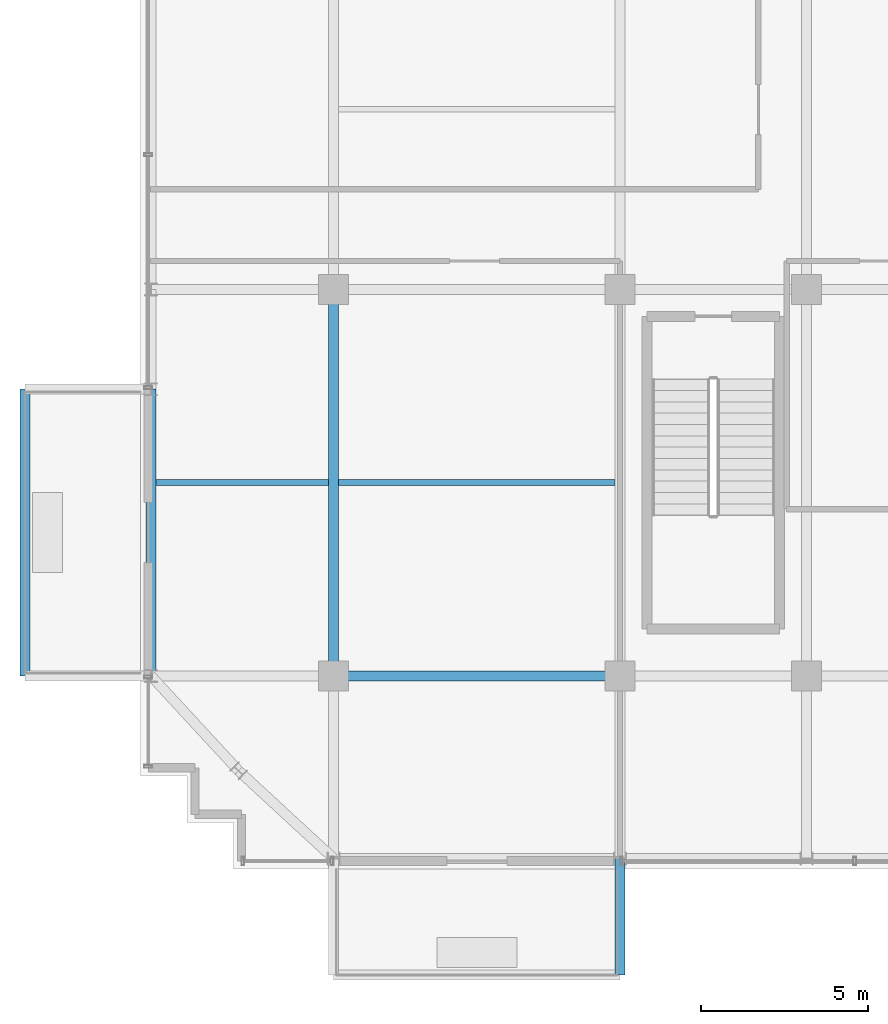
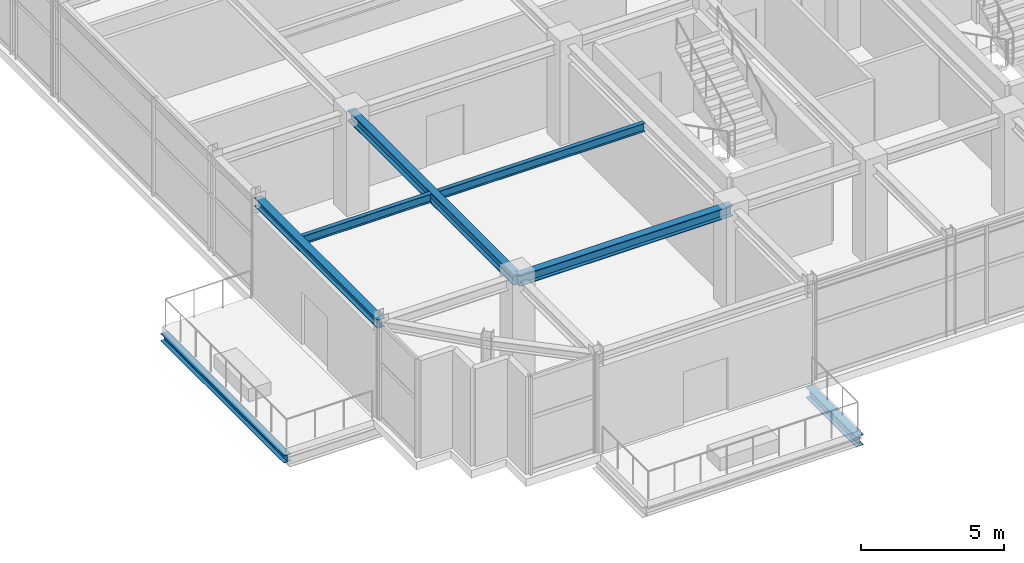
# One storey, part 5 of 25: 7 beams.
"""IFC4 building model written with IfcOpenShell, lengths in metres."""

from ifc_helpers import new_model, si_unit, direction, frame, origin, origin_2d, place, context, subcontext, project, spatial, i_section, extrude, source, transform, mapped, material, material_profile, profile_set, type_object, element, save


model = new_model("IFC4")

# Units and contexts
model_context = context("Model", 3, precision=1e-05, world=origin(), true_north=direction((0.0, 1.0)))
body_context = subcontext(model_context, "Body", "Model", "MODEL_VIEW")
ifc_project = project(units=[si_unit("LENGTHUNIT", "METRE"), si_unit("AREAUNIT", "SQUARE_METRE"), si_unit("VOLUMEUNIT", "CUBIC_METRE"), si_unit("PLANEANGLEUNIT", "RADIAN"), si_unit("MASSUNIT", "GRAM", prefix="KILO")], contexts=[model_context])

# Site, building, storey
site_placement = place(None, origin())
site = spatial("IfcSite", under=ifc_project, at=site_placement, CompositionType="ELEMENT")
building_placement = place(site_placement, origin())
building = spatial("IfcBuilding", under=site, at=building_placement, Name="Nahalor Promenade Grand Hotel", CompositionType="ELEMENT")
storey_placement = place(building_placement, frame((0.0, 0.0, 338.550048828125)))
storey = spatial("IfcBuildingStorey", under=building, at=storey_placement, Name="L87", CompositionType="ELEMENT", Elevation=338.550048828125)

# Beams
ifc_material = material(Name="Steel S355JR", Category="steel")
ifc_material_profile_1 = material_profile(ifc_material, i_section(OverallWidth=0.3, OverallDepth=0.32, WebThickness=0.0115, FlangeThickness=0.0205, at=origin_2d()), Name="HEB 320")
ifc_profile_set_1 = profile_set([ifc_material_profile_1], Name="Steel S355JR")
beam_type_1 = type_object("IfcBeamType", Name="Beam-BalcEdge-HEB320", PredefinedType="SPANDREL", material=ifc_profile_set_1)
shared_shape_1 = source(origin(), body_context, "Body", "SweptSolid", [
    extrude(i_section(OverallWidth=0.3, OverallDepth=0.32, WebThickness=0.0115, FlangeThickness=0.0205, at=origin_2d()), origin(), (0.0, 0.0, 1.0), 8.60009765625),
])
beam_1_placement = place(storey_placement, frame((-26.260009765625, -17.0, -0.43994140625), z_axis=(0.0, 1.0, 0.0), x_axis=(-1.0, 0.0, 0.0)))
element("IfcBeam", 1, at=beam_1_placement, inside=storey, type_object=beam_type_1, Name="BM-L87-BC-02-F", PredefinedType="SPANDREL", context=body_context, shape_type="MappedRepresentation", body=[
    mapped(shared_shape_1, transform((0.0, 0.0, 0.0), scale=1.0)),
])
ifc_material_profile_2 = material_profile(ifc_material, i_section(OverallWidth=0.3, OverallDepth=0.45, WebThickness=0.014, FlangeThickness=0.026, at=origin_2d()), Name="HEB 450")
ifc_profile_set_2 = profile_set([ifc_material_profile_2], Name="Steel S355JR")
beam_type_2 = type_object("IfcBeamType", Name="Beam-Outrigger-HEB450", PredefinedType="BEAM", material=ifc_profile_set_2)
shared_shape_2 = source(origin(), body_context, "Body", "SweptSolid", [
    extrude(i_section(OverallWidth=0.3, OverallDepth=0.45, WebThickness=0.014, FlangeThickness=0.026, at=origin_2d()), origin(), (0.0, 0.0, 1.0), 3.5),
])
beam_2_placement = place(storey_placement, frame((-8.39990234375, -25.97998046875, -0.505126953125), z_axis=(0.0, 1.0, 0.0), x_axis=(-1.0, 0.0, 0.0)))
element("IfcBeam", 2, at=beam_2_placement, inside=storey, type_object=beam_type_2, Name="BM-L87-BC-01-2", PredefinedType="BEAM", context=body_context, shape_type="MappedRepresentation", body=[
    mapped(shared_shape_2, transform((0.0, 0.0, 0.0), scale=1.0)),
])
ifc_material_profile_3 = material_profile(ifc_material, i_section(OverallWidth=0.3, OverallDepth=0.45, WebThickness=0.014, FlangeThickness=0.026, at=origin_2d()), Name="HEB 450")
ifc_profile_set_3 = profile_set([ifc_material_profile_3], Name="Steel S355JR")
beam_type_3 = type_object("IfcBeamType", Name="Beam-Girder-HEB450", PredefinedType="BEAM", material=ifc_profile_set_3)
shared_shape_3 = source(origin(), body_context, "Body", "SweptSolid", [
    extrude(i_section(OverallWidth=0.3, OverallDepth=0.45, WebThickness=0.014, FlangeThickness=0.026, at=origin_2d()), origin(), (0.0, 0.0, 1.0), 8.60009765625),
])
beam_3_placement = place(storey_placement, frame((-17.0, -17.0, 3.945068359375), z_axis=(1.0, 0.0, 0.0), x_axis=(0.0, 1.0, 0.0)))
element("IfcBeam", 3, at=beam_3_placement, inside=storey, type_object=beam_type_3, Name="BM-L87-GX-0-1", PredefinedType="BEAM", context=body_context, shape_type="MappedRepresentation", body=[
    mapped(shared_shape_3, transform((0.0, 0.0, 0.0), scale=1.0)),
])
shared_shape_4 = source(origin(), body_context, "Body", "SweptSolid", [
    extrude(i_section(OverallWidth=0.3, OverallDepth=0.45, WebThickness=0.014, FlangeThickness=0.026, at=origin_2d()), origin(), (0.0, 0.0, 1.0), 11.60009765625),
])
beam_4_placement = place(storey_placement, frame((-17.0, -17.0, 3.945068359375), z_axis=(0.0, 1.0, 0.0), x_axis=(-1.0, 0.0, 0.0)))
element("IfcBeam", 4, at=beam_4_placement, inside=storey, type_object=beam_type_3, Name="BM-L87-GY-0-1", PredefinedType="BEAM", context=body_context, shape_type="MappedRepresentation", body=[
    mapped(shared_shape_4, transform((0.0, 0.0, 0.0), scale=1.0)),
])
ifc_material_profile_4 = material_profile(ifc_material, i_section(OverallWidth=0.3, OverallDepth=0.36, WebThickness=0.0125, FlangeThickness=0.0225, at=origin_2d()), Name="HEB 360")
ifc_profile_set_4 = profile_set([ifc_material_profile_4], Name="Steel S355JR")
beam_type_4 = type_object("IfcBeamType", Name="Beam-Spandrel-HEB360", PredefinedType="SPANDREL", material=ifc_profile_set_4)
shared_shape_5 = source(origin(), body_context, "Body", "SweptSolid", [
    extrude(i_section(OverallWidth=0.3, OverallDepth=0.36, WebThickness=0.0125, FlangeThickness=0.0225, at=origin_2d()), origin(), (0.0, 0.0, 1.0), 8.60009765625),
])
beam_5_placement = place(storey_placement, frame((-22.47998046875, -17.0, 3.989990234375), z_axis=(0.0, 1.0, 0.0), x_axis=(-1.0, 0.0, 0.0)))
element("IfcBeam", 5, at=beam_5_placement, inside=storey, type_object=beam_type_4, Name="BM-L87-SP-W-0", PredefinedType="SPANDREL", context=body_context, shape_type="MappedRepresentation", body=[
    mapped(shared_shape_5, transform((0.0, 0.0, 0.0), scale=1.0)),
])
ifc_material_profile_5 = material_profile(ifc_material, i_section(OverallWidth=0.17, OverallDepth=0.36, WebThickness=0.008, FlangeThickness=0.0127, at=origin_2d()), Name="IPE 360")
ifc_profile_set_5 = profile_set([ifc_material_profile_5], Name="Steel S355JR")
beam_type_5 = type_object("IfcBeamType", Name="Beam-Joist-IPE360", PredefinedType="JOIST", material=ifc_profile_set_5)
shared_shape_6 = source(origin(), body_context, "Body", "SweptSolid", [
    extrude(i_section(OverallWidth=0.17, OverallDepth=0.36, WebThickness=0.008, FlangeThickness=0.0127, at=origin_2d()), origin(), (0.0, 0.0, 1.0), 5.18017578125),
])
beam_6_placement = place(storey_placement, frame((-22.330078125, -11.199951171875, 3.989990234375), z_axis=(1.0, 0.0, 0.0), x_axis=(0.0, 1.0, 0.0)))
element("IfcBeam", 6, at=beam_6_placement, inside=storey, type_object=beam_type_5, Name="BM-L87-JSW-0-0", PredefinedType="JOIST", context=body_context, shape_type="MappedRepresentation", body=[
    mapped(shared_shape_6, transform((0.0, 0.0, 0.0), scale=1.0)),
])
shared_shape_7 = source(origin(), body_context, "Body", "SweptSolid", [
    extrude(i_section(OverallWidth=0.17, OverallDepth=0.36, WebThickness=0.008, FlangeThickness=0.0127, at=origin_2d()), origin(), (0.0, 0.0, 1.0), 8.300048828125),
])
beam_7_placement = place(storey_placement, frame((-16.85009765625, -11.199951171875, 3.989990234375), z_axis=(1.0, 0.0, 0.0), x_axis=(0.0, 1.0, 0.0)))
element("IfcBeam", 7, at=beam_7_placement, inside=storey, type_object=beam_type_5, Name="BM-L87-JSW-0-1", PredefinedType="JOIST", context=body_context, shape_type="MappedRepresentation", body=[
    mapped(shared_shape_7, transform((0.0, 0.0, 0.0), scale=1.0)),
])

save(model, "model.ifc")
